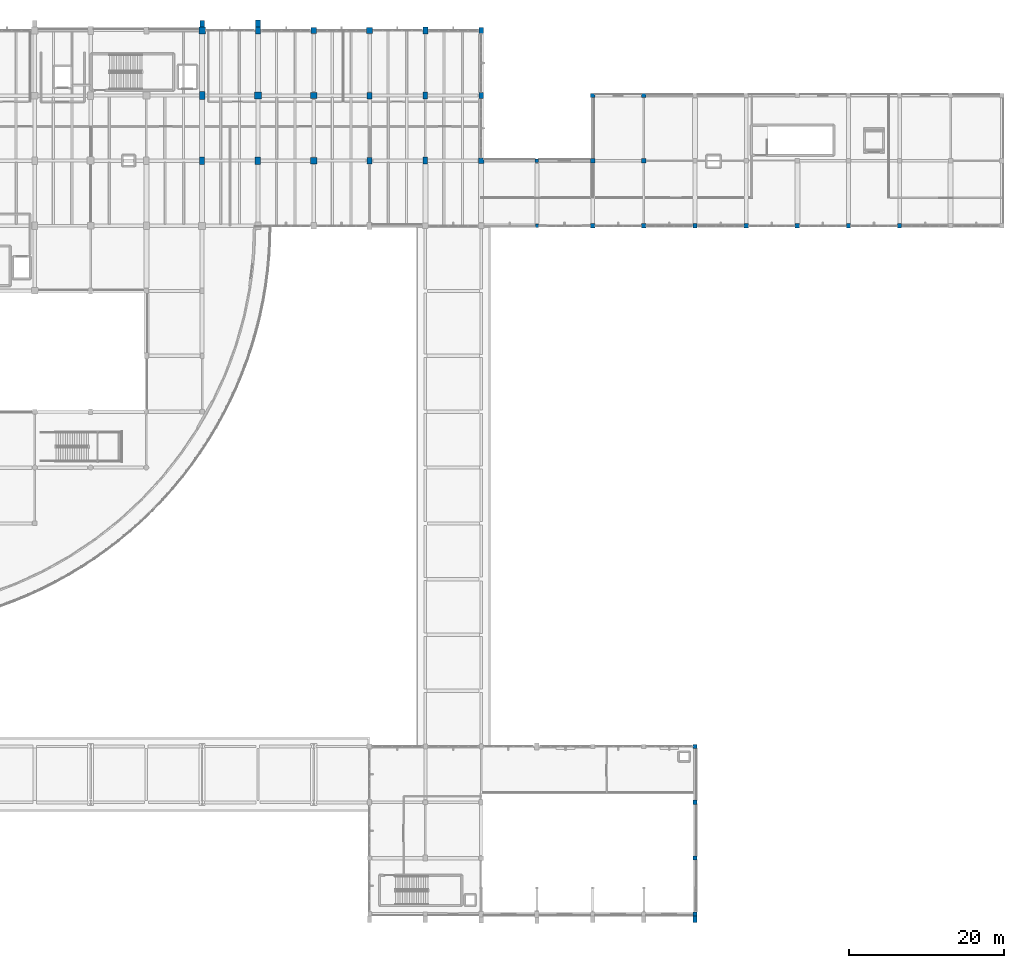
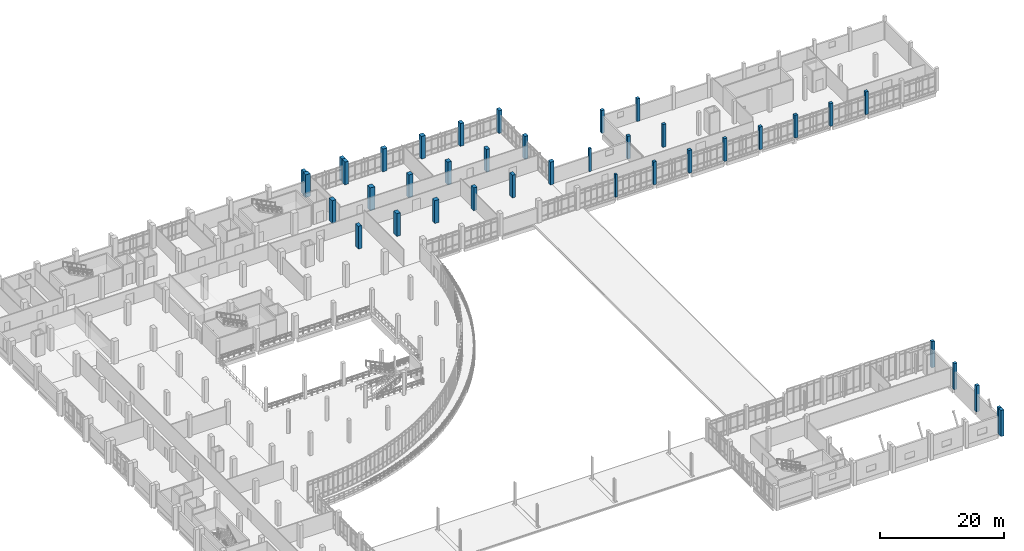
# One storey, part 7 of 134: 38 columns.
"""IFC4 building model written with IfcOpenShell, lengths in metres."""

import ifcopenshell
import ifcopenshell.guid

model = None  # the IFC model being written
_history = None  # IfcOwnerHistory: only IFC2X3 demands one
_inside = {}  # id of a spatial element -> (the spatial element, [elements in it])
_under = {}  # id of a project, library or spatial element -> (it, [spatial elements below it])
_declared = {}  # id of a project -> (the project, [libraries it declares])
_typed = {}  # id of a type object -> (the type object, [elements of that type])
_made_of = {}  # id of a material, layer set ... -> (it, [elements and type objects made of it])


def new_model(schema):
    """Start an empty IFC model of exactly this schema.

    Asked for "IFC4X3", IfcOpenShell would pick the latest addendum, in which some entities
    have other attributes; the version numbers below select the first issue.
    IFC2X3 requires an IfcOwnerHistory on every rooted entity: one is made here for all.
    """
    global model, _history
    if schema == "IFC4X3":
        model = ifcopenshell.file(schema_version=(4, 3, 0, 0))
    else:
        model = ifcopenshell.file(schema=schema)
    _inside.clear()
    _under.clear()
    _declared.clear()
    _typed.clear()
    _made_of.clear()
    _history = None
    if model.schema == "IFC2X3":
        org = make("IfcOrganization", Name="unknown")
        user = make(
            "IfcPersonAndOrganization",
            ThePerson=make("IfcPerson", FamilyName="unknown"),
            TheOrganization=org,
        )
        app = make(
            "IfcApplication",
            ApplicationDeveloper=org,
            Version="unknown",
            ApplicationFullName="unknown",
            ApplicationIdentifier="unknown",
        )
        _history = make(
            "IfcOwnerHistory",
            OwningUser=user,
            OwningApplication=app,
            ChangeAction="ADDED",
            CreationDate=0,
        )
    return model


def make(cls, **values):
    """One entity of the class cls with the attributes given. An attribute that is None is left unset."""
    return model.create_entity(
        cls, **{name: value for name, value in values.items() if value is not None}
    )


def rooted(cls, **values):
    """An entity with a GlobalId (a new one), such as an element, a storey or a relation."""
    return make(cls, GlobalId=ifcopenshell.guid.new(), OwnerHistory=_history, **values)


def si_unit(unit_type, name, prefix=None):
    """IfcSIUnit, for example si_unit("LENGTHUNIT", "METRE", prefix="MILLI")."""
    return make("IfcSIUnit", UnitType=unit_type, Prefix=prefix, Name=name)


def assignment(units):
    """IfcUnitAssignment: the units of a project."""
    return None if units is None else make("IfcUnitAssignment", Units=units)


def point(xyz):
    """IfcCartesianPoint."""
    return None if xyz is None else make("IfcCartesianPoint", Coordinates=xyz)


def direction(xyz):
    """IfcDirection."""
    return None if xyz is None else make("IfcDirection", DirectionRatios=xyz)


def frame(location, z_axis=None, x_axis=None):
    """IfcAxis2Placement3D, a coordinate frame: its origin and axes. An axis left out is left unset."""
    return make(
        "IfcAxis2Placement3D",
        Location=point(location),
        Axis=direction(z_axis),
        RefDirection=direction(x_axis),
    )


def frame_2d(location, x_axis=None):
    """IfcAxis2Placement2D, a coordinate frame in the plane: its origin and x axis."""
    return make(
        "IfcAxis2Placement2D", Location=point(location), RefDirection=direction(x_axis)
    )


def origin():
    """The frame at (0, 0, 0) with its axes left unset."""
    return frame((0.0, 0.0, 0.0))


def origin_2d():
    """The frame at (0, 0) in the plane with its x axis left unset."""
    return frame_2d((0.0, 0.0))


def place(relative_to, where):
    """IfcLocalPlacement: puts the frame where relative to a parent placement (None: the world)."""
    return make(
        "IfcLocalPlacement", PlacementRelTo=relative_to, RelativePlacement=where
    )


def context(
    kind, dimensions, precision=None, world=None, true_north=None, identifier=None
):
    """IfcGeometricRepresentationContext, for example the 3D "Model" context."""
    return make(
        "IfcGeometricRepresentationContext",
        ContextIdentifier=identifier,
        ContextType=kind,
        CoordinateSpaceDimension=dimensions,
        Precision=precision,
        WorldCoordinateSystem=world,
        TrueNorth=true_north,
    )


def subcontext(parent, identifier, kind, view, scale=None):
    """IfcGeometricRepresentationSubContext, for example "Body" below "Model"."""
    return make(
        "IfcGeometricRepresentationSubContext",
        ContextIdentifier=identifier,
        ContextType=kind,
        ParentContext=parent,
        TargetScale=scale,
        TargetView=view,
    )


def project(units=None, contexts=None):
    """IfcProject with its units and contexts."""
    return rooted(
        "IfcProject",
        Name="project",
        RepresentationContexts=contexts,
        UnitsInContext=assignment(units),
    )


def spatial(cls, under=None, at=None, **own):
    """A site, building, storey or space (cls), placed at a placement, below another one or the project."""
    s = rooted(cls, ObjectPlacement=at, **own)
    if under is not None:
        _under.setdefault(under.id(), (under, []))[1].append(s)
    return s


def profile(cls, at=None, kind="AREA", **sizes):
    """A parametric profile (cls). Its sizes go by their IFC names, for example OverallWidth=200.0."""
    return make(cls, ProfileType=kind, Position=at, **sizes)


def rectangle(**sizes):
    """IfcRectangleProfileDef."""
    return profile("IfcRectangleProfileDef", **sizes)


def extrude(swept, where, along, depth):
    """IfcExtrudedAreaSolid: the profile swept, set in the frame where, extruded along a direction by depth."""
    return make(
        "IfcExtrudedAreaSolid",
        SweptArea=swept,
        Position=where,
        ExtrudedDirection=direction(along),
        Depth=depth,
    )


def shape(context_of_items, identifier, shape_type, items):
    """IfcShapeRepresentation: the items that make up one representation, for example the "Body"."""
    return make(
        "IfcShapeRepresentation",
        ContextOfItems=context_of_items,
        RepresentationIdentifier=identifier,
        RepresentationType=shape_type,
        Items=items,
    )


def material(Name=None, Category=None):
    """IfcMaterial."""
    return make("IfcMaterial", Name=Name, Category=Category)


def material_profile(
    of_material, cross_section, Name=None, Category=None, Priority=None
):
    """IfcMaterialProfile: a cross section and its material."""
    return make(
        "IfcMaterialProfile",
        Name=Name,
        Material=of_material,
        Profile=cross_section,
        Priority=Priority,
        Category=Category,
    )


def profile_set(profiles, Name=None, composite=None):
    """IfcMaterialProfileSet."""
    return make(
        "IfcMaterialProfileSet",
        Name=Name,
        MaterialProfiles=profiles,
        CompositeProfile=composite,
    )


def made_of(thing, what):
    """Note that an element or type object is made of a material, layer set ...; save() writes the relation."""
    if what is not None:
        _made_of.setdefault(what.id(), (what, []))[1].append(thing)
    return thing


def type_object(cls, material=None, **own):
    """A type object (cls), such as IfcWallType, which elements share."""
    return made_of(rooted(cls, **own), material)


def element(
    cls,
    number,
    at=None,
    inside=None,
    cuts=None,
    type_object=None,
    material=None,
    context=None,
    identifier="Body",
    shape_type=None,
    held_by="IfcProductDefinitionShape",
    body=None,
    shapes=None,
    **own,
):
    """One element of the class cls, such as IfcWall. Its Tag is "e" and its number.

    at: its placement. inside: the storey or other place that contains it. cuts: it is an
    opening in that element (IfcRelVoidsElement). A single representation is given by context,
    identifier, shape_type and body (its items); several are given by shapes. held_by: the class
    of the entity that holds the representations. save() writes the other relations.
    """
    e = rooted(cls, Tag="e%d" % number, ObjectPlacement=at, **own)
    if body is not None:
        shapes = [shape(context, identifier, shape_type, body)]
    if shapes is not None:
        e.Representation = make(held_by, Representations=shapes)
    if inside is not None:
        _inside.setdefault(inside.id(), (inside, []))[1].append(e)
    if cuts is not None:
        rooted(
            "IfcRelVoidsElement", RelatingBuildingElement=cuts, RelatedOpeningElement=e
        )
    if type_object is not None:
        _typed.setdefault(type_object.id(), (type_object, []))[1].append(e)
    return made_of(e, material)


def aggregate(whole, parts):
    """IfcRelAggregates: a whole, such as a stair, and the parts it consists of."""
    return rooted("IfcRelAggregates", RelatingObject=whole, RelatedObjects=parts)


def save(model, path):
    """Write the relations noted so far, then the file.

    IfcRelAggregates (storeys below a building ...), IfcRelContainedInSpatialStructure (elements
    in a storey), IfcRelDefinesByType, IfcRelAssociatesMaterial and IfcRelDeclares: one each for
    every whole, place, type object, material and project.
    """
    for whole, parts in _under.values():
        aggregate(whole, parts)
    for where, things in _inside.values():
        rooted(
            "IfcRelContainedInSpatialStructure",
            RelatedElements=things,
            RelatingStructure=where,
        )
    for kind, things in _typed.values():
        rooted("IfcRelDefinesByType", RelatedObjects=things, RelatingType=kind)
    for what, things in _made_of.values():
        rooted("IfcRelAssociatesMaterial", RelatedObjects=things, RelatingMaterial=what)
    for by, libraries in _declared.values():
        rooted("IfcRelDeclares", RelatingContext=by, RelatedDefinitions=libraries)
    model.write(path)


model = new_model("IFC4")

# Units and contexts
model_context = context("Model", 3, precision=1e-05, world=origin(), true_north=direction((0.0, 1.0)))
body_context = subcontext(model_context, "Body", "Model", "MODEL_VIEW")
ifc_project = project(units=[si_unit("LENGTHUNIT", "METRE"), si_unit("AREAUNIT", "SQUARE_METRE"), si_unit("VOLUMEUNIT", "CUBIC_METRE"), si_unit("PLANEANGLEUNIT", "RADIAN"), si_unit("MASSUNIT", "GRAM", prefix="KILO")], contexts=[model_context])

# Site, building, storey
site_placement = place(None, origin())
site = spatial("IfcSite", under=ifc_project, at=site_placement, CompositionType="ELEMENT")
building_placement = place(site_placement, origin())
building = spatial("IfcBuilding", under=site, at=building_placement, Name="Kalluvel Institute of Natural Sciences", CompositionType="ELEMENT")
storey_placement = place(building_placement, frame((0.0, 0.0, 5.39990234375)))
storey = spatial("IfcBuildingStorey", under=building, at=storey_placement, Name="L01", CompositionType="ELEMENT", Elevation=5.39990234375)

# Columns
ifc_material_1 = material(Name="Concrete M40", Category="concrete")
ifc_material_profile_1 = material_profile(ifc_material_1, rectangle(XDim=0.39990234375, YDim=0.39990234375, at=origin_2d()), Name="RC 400x400")
ifc_profile_set_1 = profile_set([ifc_material_profile_1], Name="Concrete M40")
column_type_1 = type_object("IfcColumnType", Name="COL-RC400", PredefinedType="COLUMN", material=ifc_profile_set_1)
column_1_placement = place(storey_placement, frame((122.0, 102.800048828125, 0.0), z_axis=(0.0, 0.0, 1.0), x_axis=(1.0, 0.0, 0.0)))
element("IfcColumn", 1, at=column_1_placement, inside=storey, type_object=column_type_1, Name="L01 structural column COL-L01-X1220-Y1028", PredefinedType="COLUMN", context=body_context, shape_type="SweptSolid", body=[
    extrude(rectangle(XDim=0.39990234375, YDim=0.39990234375, at=origin_2d()), origin(), (0.0, 0.0, 1.0), 4.5),
])
ifc_material_profile_2 = material_profile(ifc_material_1, rectangle(XDim=0.449951171875, YDim=0.449951171875, at=origin_2d()), Name="RC 450x450")
ifc_profile_set_2 = profile_set([ifc_material_profile_2], Name="Concrete M40")
column_type_2 = type_object("IfcColumnType", Name="COL-RC450", PredefinedType="COLUMN", material=ifc_profile_set_2)
column_2_placement = place(storey_placement, frame((122.0, 111.199951171875, 0.0), z_axis=(0.0, 0.0, 1.0), x_axis=(1.0, 0.0, 0.0)))
element("IfcColumn", 2, at=column_2_placement, inside=storey, type_object=column_type_2, Name="L01 structural column COL-L01-X1220-Y1112", PredefinedType="COLUMN", context=body_context, shape_type="SweptSolid", body=[
    extrude(rectangle(XDim=0.449951171875, YDim=0.449951171875, at=origin_2d()), origin(), (0.0, 0.0, 1.0), 4.5),
])
ifc_material_profile_3 = material_profile(ifc_material_1, rectangle(XDim=0.550048828125, YDim=0.550048828125, at=origin_2d()), Name="RC 550x550")
ifc_profile_set_3 = profile_set([ifc_material_profile_3], Name="Concrete M40")
column_type_3 = type_object("IfcColumnType", Name="COL-RC550", PredefinedType="COLUMN", material=ifc_profile_set_3)
for number, where, z_axis, x_axis, name in (
    (3, (129.199951171875, 102.800048828125, 0.0), (0.0, 0.0, 1.0), (1.0, 0.0, 0.0), "L01 structural column COL-L01-X1292-Y1028"),
    (4, (129.199951171875, 111.199951171875, 0.0), (0.0, 0.0, 1.0), (1.0, 0.0, 0.0), "L01 structural column COL-L01-X1292-Y1112"),
    (5, (129.199951171875, 119.60009765625, 0.0), (0.0, 0.0, 1.0), (1.0, 0.0, 0.0), "L01 structural column COL-L01-X1292-Y1196"),
    (6, (135.800048828125, 102.800048828125, 0.0), (0.0, 0.0, 1.0), (1.0, 0.0, 0.0), "L01 structural column COL-L01-X1358-Y1028"),
    (7, (135.800048828125, 111.199951171875, 0.0), (0.0, 0.0, 1.0), (1.0, 0.0, 0.0), "L01 structural column COL-L01-X1358-Y1112"),
    (8, (135.800048828125, 119.60009765625, 0.0), (0.0, 0.0, 1.0), (1.0, 0.0, 0.0), "L01 structural column COL-L01-X1358-Y1196"),
):
    element("IfcColumn", number, at=place(storey_placement, frame(where, z_axis=z_axis, x_axis=x_axis)), inside=storey, type_object=column_type_3, Name=name, PredefinedType="COLUMN", context=body_context, shape_type="SweptSolid", body=[
        extrude(rectangle(XDim=0.550048828125, YDim=0.550048828125, at=origin_2d()), origin(), (0.0, 0.0, 1.0), 4.5),
    ])
for number, where, z_axis, x_axis, name in (
    (9, (142.39990234375, 14.0, 0.0), (0.0, 0.0, 1.0), (1.0, 0.0, 0.0), "L01 structural column COL-L01-X1424-Y140"),
    (10, (142.39990234375, 21.199951171875, 0.0), (0.0, 0.0, 1.0), (1.0, 0.0, 0.0), "L01 structural column COL-L01-X1424-Y212"),
    (11, (142.39990234375, 28.39990234375, 0.0), (0.0, 0.0, 1.0), (1.0, 0.0, 0.0), "L01 structural column COL-L01-X1424-Y284"),
    (12, (142.39990234375, 35.60009765625, 0.0), (0.0, 0.0, 1.0), (1.0, 0.0, 0.0), "L01 structural column COL-L01-X1424-Y356"),
):
    element("IfcColumn", number, at=place(storey_placement, frame(where, z_axis=z_axis, x_axis=x_axis)), inside=storey, type_object=column_type_3, Name=name, PredefinedType="COLUMN", context=body_context, shape_type="SweptSolid", body=[
        extrude(rectangle(XDim=0.550048828125, YDim=0.550048828125, at=origin_2d()), origin(), (0.0, 0.0, 1.0), 5.150146484375),
    ])
for number, where, z_axis, x_axis, name in (
    (13, (142.39990234375, 102.800048828125, 0.0), (0.0, 0.0, 1.0), (1.0, 0.0, 0.0), "L01 structural column COL-L01-X1424-Y1028"),
    (14, (149.0, 102.800048828125, 0.0), (0.0, 0.0, 1.0), (1.0, 0.0, 0.0), "L01 structural column COL-L01-X1490-Y1028"),
    (15, (155.60009765625, 102.800048828125, 0.0), (0.0, 0.0, 1.0), (1.0, 0.0, 0.0), "L01 structural column COL-L01-X1556-Y1028"),
    (16, (162.199951171875, 102.800048828125, 0.0), (0.0, 0.0, 1.0), (1.0, 0.0, 0.0), "L01 structural column COL-L01-X1622-Y1028"),
    (17, (168.800048828125, 102.800048828125, 0.0), (0.0, 0.0, 1.0), (1.0, 0.0, 0.0), "L01 structural column COL-L01-X1688-Y1028"),
):
    element("IfcColumn", number, at=place(storey_placement, frame(where, z_axis=z_axis, x_axis=x_axis)), inside=storey, type_object=column_type_3, Name=name, PredefinedType="COLUMN", context=body_context, shape_type="SweptSolid", body=[
        extrude(rectangle(XDim=0.550048828125, YDim=0.550048828125, at=origin_2d()), origin(), (0.0, 0.0, 1.0), 4.5),
    ])
ifc_material_2 = material(Name="Concrete M50", Category="concrete")
ifc_material_profile_4 = material_profile(ifc_material_2, rectangle(XDim=0.60009765625, YDim=0.800048828125, at=origin_2d()), Name="RC 600x800")
ifc_profile_set_4 = profile_set([ifc_material_profile_4], Name="Concrete M50")
column_type_4 = type_object("IfcColumnType", Name="COL-RC600x800", PredefinedType="COLUMN", material=ifc_profile_set_4)
for number, where, z_axis, x_axis, name in (
    (18, (114.800048828125, 119.60009765625, 0.0), (0.0, 0.0, 1.0), (1.0, 0.0, 0.0), "L01 structural column COL-L01-X1148-Y1196"),
    (19, (114.800048828125, 128.0, 0.0), (0.0, 0.0, 1.0), (1.0, 0.0, 0.0), "L01 structural column COL-L01-X1148-Y1280"),
):
    element("IfcColumn", number, at=place(storey_placement, frame(where, z_axis=z_axis, x_axis=x_axis)), inside=storey, type_object=column_type_4, Name=name, PredefinedType="COLUMN", context=body_context, shape_type="SweptSolid", body=[
        extrude(rectangle(XDim=0.60009765625, YDim=0.800048828125, at=origin_2d()), origin(), (0.0, 0.0, 1.0), 4.5),
    ])
ifc_material_profile_5 = material_profile(ifc_material_2, rectangle(XDim=0.60009765625, YDim=0.89990234375, at=origin_2d()), Name="RC 600x900")
ifc_profile_set_5 = profile_set([ifc_material_profile_5], Name="Concrete M50")
column_type_5 = type_object("IfcColumnType", Name="COL-RC600x900", PredefinedType="COLUMN", material=ifc_profile_set_5)
for number, where, z_axis, x_axis, name in (
    (20, (107.60009765625, 111.199951171875, 0.0), (0.0, 0.0, 1.0), (1.0, 0.0, 0.0), "L01 structural column COL-L01-X1076-Y1112"),
    (21, (107.60009765625, 119.60009765625, 0.0), (0.0, 0.0, 1.0), (1.0, 0.0, 0.0), "L01 structural column COL-L01-X1076-Y1196"),
):
    element("IfcColumn", number, at=place(storey_placement, frame(where, z_axis=z_axis, x_axis=x_axis)), inside=storey, type_object=column_type_5, Name=name, PredefinedType="COLUMN", context=body_context, shape_type="SweptSolid", body=[
        extrude(rectangle(XDim=0.60009765625, YDim=0.89990234375, at=origin_2d()), origin(), (0.0, 0.0, 1.0), 4.5),
    ])
ifc_material_profile_6 = material_profile(ifc_material_2, rectangle(XDim=0.64990234375, YDim=0.85009765625, at=origin_2d()), Name="RC 650x850")
ifc_profile_set_6 = profile_set([ifc_material_profile_6], Name="Concrete M50")
column_type_6 = type_object("IfcColumnType", Name="COL-RC650x850", PredefinedType="COLUMN", material=ifc_profile_set_6)
for number, where, z_axis, x_axis, name in (
    (22, (100.39990234375, 111.199951171875, 0.0), (0.0, 0.0, 1.0), (1.0, 0.0, 0.0), "L01 structural column COL-L01-X1004-Y1112"),
    (23, (100.39990234375, 119.60009765625, 0.0), (0.0, 0.0, 1.0), (1.0, 0.0, 0.0), "L01 structural column COL-L01-X1004-Y1196"),
    (24, (107.60009765625, 128.0, 0.0), (0.0, 0.0, 1.0), (1.0, 0.0, 0.0), "L01 structural column COL-L01-X1076-Y1280"),
):
    element("IfcColumn", number, at=place(storey_placement, frame(where, z_axis=z_axis, x_axis=x_axis)), inside=storey, type_object=column_type_6, Name=name, PredefinedType="COLUMN", context=body_context, shape_type="SweptSolid", body=[
        extrude(rectangle(XDim=0.64990234375, YDim=0.85009765625, at=origin_2d()), origin(), (0.0, 0.0, 1.0), 4.5),
    ])
ifc_material_profile_7 = material_profile(ifc_material_2, rectangle(XDim=0.64990234375, YDim=0.949951171875, at=origin_2d()), Name="RC 650x950")
ifc_profile_set_7 = profile_set([ifc_material_profile_7], Name="Concrete M50")
column_type_7 = type_object("IfcColumnType", Name="COL-RC650x950", PredefinedType="COLUMN", material=ifc_profile_set_7)
for number, where, z_axis, x_axis, name in (
    (25, (78.800048828125, 111.199951171875, 0.0), (0.0, 0.0, 1.0), (1.0, 0.0, 0.0), "L01 structural column COL-L01-X788-Y1112"),
    (26, (86.0, 128.0, 0.0), (0.0, 0.0, 1.0), (1.0, 0.0, 0.0), "L01 structural column COL-L01-X860-Y1280"),
):
    element("IfcColumn", number, at=place(storey_placement, frame(where, z_axis=z_axis, x_axis=x_axis)), inside=storey, type_object=column_type_7, Name=name, PredefinedType="COLUMN", context=body_context, shape_type="SweptSolid", body=[
        extrude(rectangle(XDim=0.64990234375, YDim=0.949951171875, at=origin_2d()), origin(), (0.0, 0.0, 1.0), 4.5),
    ])
ifc_material_profile_8 = material_profile(ifc_material_1, rectangle(XDim=0.699951171875, YDim=0.699951171875, at=origin_2d()), Name="RC 700x700")
ifc_profile_set_8 = profile_set([ifc_material_profile_8], Name="Concrete M40")
column_type_8 = type_object("IfcColumnType", Name="COL-RC700", PredefinedType="COLUMN", material=ifc_profile_set_8)
column_3_placement = place(storey_placement, frame((114.800048828125, 111.199951171875, 0.0), z_axis=(0.0, 0.0, 1.0), x_axis=(1.0, 0.0, 0.0)))
element("IfcColumn", 27, at=column_3_placement, inside=storey, type_object=column_type_8, Name="L01 structural column COL-L01-X1148-Y1112", PredefinedType="COLUMN", context=body_context, shape_type="SweptSolid", body=[
    extrude(rectangle(XDim=0.699951171875, YDim=0.699951171875, at=origin_2d()), origin(), (0.0, 0.0, 1.0), 4.5),
])
ifc_material_profile_9 = material_profile(ifc_material_2, rectangle(XDim=0.699951171875, YDim=1.0, at=origin_2d()), Name="RC 700x1000")
ifc_profile_set_9 = profile_set([ifc_material_profile_9], Name="Concrete M50")
column_type_9 = type_object("IfcColumnType", Name="COL-RC700x1000", PredefinedType="COLUMN", material=ifc_profile_set_9)
for number, where, z_axis, x_axis, name in (
    (28, (78.800048828125, 119.60009765625, 0.0), (0.0, 0.0, 1.0), (1.0, 0.0, 0.0), "L01 structural column COL-L01-X788-Y1196"),
    (29, (86.0, 111.199951171875, 0.0), (0.0, 0.0, 1.0), (1.0, 0.0, 0.0), "L01 structural column COL-L01-X860-Y1112"),
):
    element("IfcColumn", number, at=place(storey_placement, frame(where, z_axis=z_axis, x_axis=x_axis)), inside=storey, type_object=column_type_9, Name=name, PredefinedType="COLUMN", context=body_context, shape_type="SweptSolid", body=[
        extrude(rectangle(XDim=0.699951171875, YDim=1.0, at=origin_2d()), origin(), (0.0, 0.0, 1.0), 4.5),
    ])
ifc_material_profile_10 = material_profile(ifc_material_2, rectangle(XDim=0.75, YDim=0.75, at=origin_2d()), Name="RC 750x750")
ifc_profile_set_10 = profile_set([ifc_material_profile_10], Name="Concrete M50")
column_type_10 = type_object("IfcColumnType", Name="COL-RC750", PredefinedType="COLUMN", material=ifc_profile_set_10)
column_4_placement = place(storey_placement, frame((93.199951171875, 128.0, 0.0), z_axis=(0.0, 0.0, 1.0), x_axis=(1.0, 0.0, 0.0)))
element("IfcColumn", 30, at=column_4_placement, inside=storey, type_object=column_type_10, Name="L01 structural column COL-L01-X932-Y1280", PredefinedType="COLUMN", context=body_context, shape_type="SweptSolid", body=[
    extrude(rectangle(XDim=0.75, YDim=0.75, at=origin_2d()), origin(), (0.0, 0.0, 1.0), 4.5),
])
ifc_material_profile_11 = material_profile(ifc_material_2, rectangle(XDim=0.800048828125, YDim=0.800048828125, at=origin_2d()), Name="RC 800x800")
ifc_profile_set_11 = profile_set([ifc_material_profile_11], Name="Concrete M50")
column_type_11 = type_object("IfcColumnType", Name="COL-RC800", PredefinedType="COLUMN", material=ifc_profile_set_11)
for number, where, z_axis, x_axis, name in (
    (31, (93.199951171875, 111.199951171875, 0.0), (0.0, 0.0, 1.0), (1.0, 0.0, 0.0), "L01 structural column COL-L01-X932-Y1112"),
    (32, (93.199951171875, 119.60009765625, 0.0), (0.0, 0.0, 1.0), (1.0, 0.0, 0.0), "L01 structural column COL-L01-X932-Y1196"),
    (33, (100.39990234375, 128.0, 0.0), (0.0, 0.0, 1.0), (1.0, 0.0, 0.0), "L01 structural column COL-L01-X1004-Y1280"),
):
    element("IfcColumn", number, at=place(storey_placement, frame(where, z_axis=z_axis, x_axis=x_axis)), inside=storey, type_object=column_type_11, Name=name, PredefinedType="COLUMN", context=body_context, shape_type="SweptSolid", body=[
        extrude(rectangle(XDim=0.800048828125, YDim=0.800048828125, at=origin_2d()), origin(), (0.0, 0.0, 1.0), 4.5),
    ])
ifc_material_profile_12 = material_profile(ifc_material_2, rectangle(XDim=0.85009765625, YDim=0.85009765625, at=origin_2d()), Name="RC 850x850")
ifc_profile_set_12 = profile_set([ifc_material_profile_12], Name="Concrete M50")
column_type_12 = type_object("IfcColumnType", Name="COL-RC850", PredefinedType="COLUMN", material=ifc_profile_set_12)
column_5_placement = place(storey_placement, frame((78.800048828125, 128.0, 0.0), z_axis=(0.0, 0.0, 1.0), x_axis=(1.0, 0.0, 0.0)))
element("IfcColumn", 34, at=column_5_placement, inside=storey, type_object=column_type_12, Name="L01 structural column COL-L01-X788-Y1280", PredefinedType="COLUMN", context=body_context, shape_type="SweptSolid", body=[
    extrude(rectangle(XDim=0.85009765625, YDim=0.85009765625, at=origin_2d()), origin(), (0.0, 0.0, 1.0), 4.5),
])
ifc_material_profile_13 = material_profile(ifc_material_2, rectangle(XDim=0.89990234375, YDim=0.89990234375, at=origin_2d()), Name="RC 900x900")
ifc_profile_set_13 = profile_set([ifc_material_profile_13], Name="Concrete M50")
column_type_13 = type_object("IfcColumnType", Name="COL-RC900", PredefinedType="COLUMN", material=ifc_profile_set_13)
column_6_placement = place(storey_placement, frame((86.0, 119.60009765625, 0.0), z_axis=(0.0, 0.0, 1.0), x_axis=(1.0, 0.0, 0.0)))
element("IfcColumn", 35, at=column_6_placement, inside=storey, type_object=column_type_13, Name="L01 structural column COL-L01-X860-Y1196", PredefinedType="COLUMN", context=body_context, shape_type="SweptSolid", body=[
    extrude(rectangle(XDim=0.89990234375, YDim=0.89990234375, at=origin_2d()), origin(), (0.0, 0.0, 1.0), 4.5),
])
ifc_material_3 = material(Name="Sadarahalli Granite Precast Concrete M45", Category="masonry")
ifc_material_profile_14 = material_profile(ifc_material_3, rectangle(XDim=0.550048828125, YDim=0.800048828125, at=origin_2d()), Name="PIL 550x800")
ifc_profile_set_14 = profile_set([ifc_material_profile_14], Name="Sadarahalli Granite Precast Concrete M45")
column_type_14 = type_object("IfcColumnType", Name="PIL-550x800", PredefinedType="PILASTER", material=ifc_profile_set_14)
column_7_placement = place(storey_placement, frame((142.39990234375, 13.322021484375, 0.0), z_axis=(0.0, 0.0, 1.0), x_axis=(1.0, 0.0, 0.0)))
element("IfcColumn", 36, at=column_7_placement, inside=storey, type_object=column_type_14, Name="L01 Lecture and Commons Gothic stone buttress 159", PredefinedType="PILASTER", context=body_context, shape_type="SweptSolid", body=[
    extrude(rectangle(XDim=0.550048828125, YDim=0.800048828125, at=origin_2d()), origin(), (0.0, 0.0, 1.0), 5.150146484375),
])
ifc_material_profile_15 = material_profile(ifc_material_3, rectangle(XDim=0.60009765625, YDim=0.85009765625, at=origin_2d()), Name="PIL 600x850")
ifc_profile_set_15 = profile_set([ifc_material_profile_15], Name="Sadarahalli Granite Precast Concrete M45")
column_type_15 = type_object("IfcColumnType", Name="PIL-600x850", PredefinedType="PILASTER", material=ifc_profile_set_15)
for number, where, z_axis, x_axis, name in (
    (37, (78.800048828125, 128.85302734375, 0.0), (0.0, 0.0, 1.0), (1.0, 0.0, 0.0), "L01 Gothic stepped Sadarahalli granite buttress 53"),
    (38, (86.0, 128.903076171875, 0.0), (0.0, 0.0, 1.0), (1.0, 0.0, 0.0), "L01 Gothic stepped Sadarahalli granite buttress 63"),
):
    element("IfcColumn", number, at=place(storey_placement, frame(where, z_axis=z_axis, x_axis=x_axis)), inside=storey, type_object=column_type_15, Name=name, PredefinedType="PILASTER", context=body_context, shape_type="SweptSolid", body=[
        extrude(rectangle(XDim=0.60009765625, YDim=0.85009765625, at=origin_2d()), origin(), (0.0, 0.0, 1.0), 4.5),
    ])

save(model, "model.ifc")
